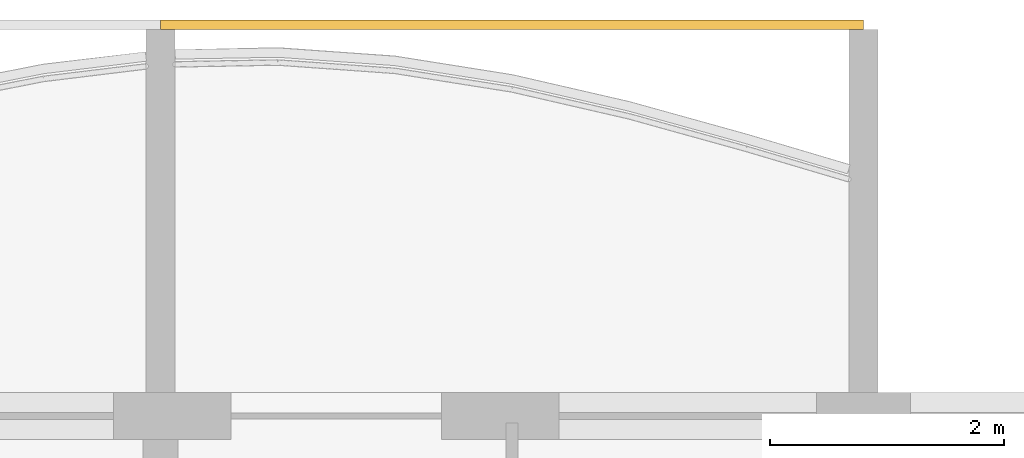
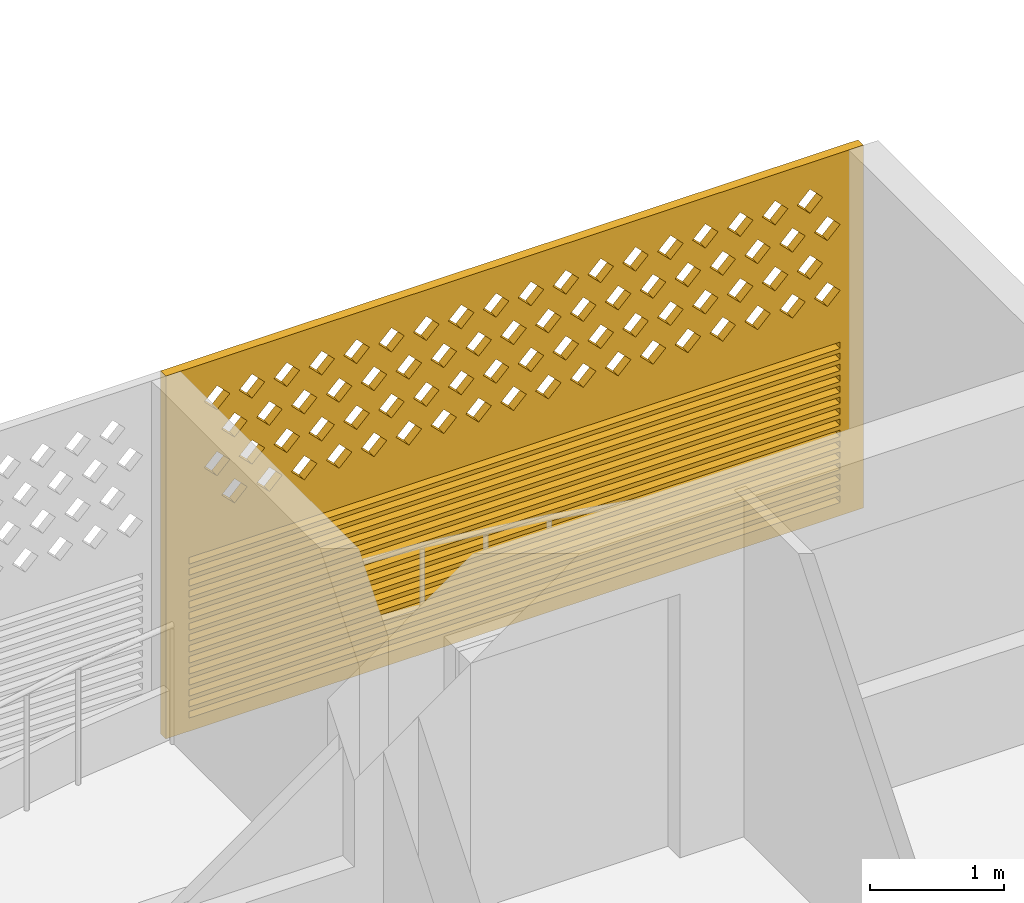
# One storey, part 26 of 32: 1 covering.
"""IFC4 building model written with IfcOpenShell, lengths in metres."""

from ifc_helpers import new_model, si_unit, direction, frame, origin, place, context, subcontext, project, spatial, polyline, outline, extrude, source, transform, mapped, material, material_profile, profile_set, type_object, element, save


model = new_model("IFC4")

# Units and contexts
model_context = context("Model", 3, precision=1e-05, world=origin(), true_north=direction((0.0, 1.0)))
body_context = subcontext(model_context, "Body", "Model", "MODEL_VIEW")
ifc_project = project(units=[si_unit("LENGTHUNIT", "METRE"), si_unit("AREAUNIT", "SQUARE_METRE"), si_unit("VOLUMEUNIT", "CUBIC_METRE"), si_unit("PLANEANGLEUNIT", "RADIAN"), si_unit("MASSUNIT", "GRAM", prefix="KILO")], contexts=[model_context])

# Site, building, storey
site_placement = place(None, origin())
site = spatial("IfcSite", under=ifc_project, at=site_placement, CompositionType="ELEMENT")
building_placement = place(site_placement, origin())
building = spatial("IfcBuilding", under=site, at=building_placement, Name="Poui Terraces", CompositionType="ELEMENT")
storey_placement = place(building_placement, frame((0.0, 0.0, 152.10009765625)))
storey = spatial("IfcBuildingStorey", under=building, at=storey_placement, Name="L42", CompositionType="ELEMENT", Elevation=152.10009765625)

# Covering
ifc_material = material(Name="Terracotta screen", Category="masonry")
ifc_material_profile = material_profile(ifc_material, outline(polyline([(-3.0, -1.64990234375), (3.0, -1.64990234375), (3.0, 1.64990234375), (-3.0, 1.64990234375), (-3.0, -1.64990234375)]), holes=[polyline([(-2.800048828125, 0.39990234375), (-2.68994140625, 0.2900390625), (-2.580078125, 0.39990234375), (-2.68994140625, 0.510009765625), (-2.800048828125, 0.39990234375)]), polyline([(-2.5, 0.39990234375), (-2.389892578125, 0.2900390625), (-2.280029296875, 0.39990234375), (-2.389892578125, 0.510009765625), (-2.5, 0.39990234375)]), polyline([(-2.199951171875, 0.39990234375), (-2.090087890625, 0.2900390625), (-1.97998046875, 0.39990234375), (-2.090087890625, 0.510009765625), (-2.199951171875, 0.39990234375)]), polyline([(-1.89990234375, 0.39990234375), (-1.7900390625, 0.2900390625), (-1.679931640625, 0.39990234375), (-1.7900390625, 0.510009765625), (-1.89990234375, 0.39990234375)]), polyline([(-1.60009765625, 0.39990234375), (-1.489990234375, 0.2900390625), (-1.3798828125, 0.39990234375), (-1.489990234375, 0.510009765625), (-1.60009765625, 0.39990234375)]), polyline([(-1.300048828125, 0.39990234375), (-1.18994140625, 0.2900390625), (-1.080078125, 0.39990234375), (-1.18994140625, 0.510009765625), (-1.300048828125, 0.39990234375)]), polyline([(-1.0, 0.39990234375), (-0.889892578125, 0.2900390625), (-0.780029296875, 0.39990234375), (-0.889892578125, 0.510009765625), (-1.0, 0.39990234375)]), polyline([(-0.699951171875, 0.39990234375), (-0.590087890625, 0.2900390625), (-0.47998046875, 0.39990234375), (-0.590087890625, 0.510009765625), (-0.699951171875, 0.39990234375)]), polyline([(-0.39990234375, 0.39990234375), (-0.2900390625, 0.2900390625), (-0.179931640625, 0.39990234375), (-0.2900390625, 0.510009765625), (-0.39990234375, 0.39990234375)]), polyline([(-0.10009765625, 0.39990234375), (0.010009765625, 0.2900390625), (0.1201171875, 0.39990234375), (0.010009765625, 0.510009765625), (-0.10009765625, 0.39990234375)]), polyline([(0.199951171875, 0.39990234375), (0.31005859375, 0.2900390625), (0.419921875, 0.39990234375), (0.31005859375, 0.510009765625), (0.199951171875, 0.39990234375)]), polyline([(0.5, 0.39990234375), (0.610107421875, 0.2900390625), (0.719970703125, 0.39990234375), (0.610107421875, 0.510009765625), (0.5, 0.39990234375)]), polyline([(0.800048828125, 0.39990234375), (0.909912109375, 0.2900390625), (1.02001953125, 0.39990234375), (0.909912109375, 0.510009765625), (0.800048828125, 0.39990234375)]), polyline([(1.10009765625, 0.39990234375), (1.2099609375, 0.2900390625), (1.320068359375, 0.39990234375), (1.2099609375, 0.510009765625), (1.10009765625, 0.39990234375)]), polyline([(1.39990234375, 0.39990234375), (1.510009765625, 0.2900390625), (1.6201171875, 0.39990234375), (1.510009765625, 0.510009765625), (1.39990234375, 0.39990234375)]), polyline([(1.699951171875, 0.39990234375), (1.81005859375, 0.2900390625), (1.919921875, 0.39990234375), (1.81005859375, 0.510009765625), (1.699951171875, 0.39990234375)]), polyline([(2.0, 0.39990234375), (2.110107421875, 0.2900390625), (2.219970703125, 0.39990234375), (2.110107421875, 0.510009765625), (2.0, 0.39990234375)]), polyline([(2.300048828125, 0.39990234375), (2.409912109375, 0.2900390625), (2.52001953125, 0.39990234375), (2.409912109375, 0.510009765625), (2.300048828125, 0.39990234375)]), polyline([(-2.64990234375, 0.699951171875), (-2.5400390625, 0.590087890625), (-2.429931640625, 0.699951171875), (-2.5400390625, 0.81005859375), (-2.64990234375, 0.699951171875)]), polyline([(-2.35009765625, 0.699951171875), (-2.239990234375, 0.590087890625), (-2.1298828125, 0.699951171875), (-2.239990234375, 0.81005859375), (-2.35009765625, 0.699951171875)]), polyline([(-2.050048828125, 0.699951171875), (-1.93994140625, 0.590087890625), (-1.830078125, 0.699951171875), (-1.93994140625, 0.81005859375), (-2.050048828125, 0.699951171875)]), polyline([(-1.75, 0.699951171875), (-1.639892578125, 0.590087890625), (-1.530029296875, 0.699951171875), (-1.639892578125, 0.81005859375), (-1.75, 0.699951171875)]), polyline([(-1.449951171875, 0.699951171875), (-1.340087890625, 0.590087890625), (-1.22998046875, 0.699951171875), (-1.340087890625, 0.81005859375), (-1.449951171875, 0.699951171875)]), polyline([(-1.14990234375, 0.699951171875), (-1.0400390625, 0.590087890625), (-0.929931640625, 0.699951171875), (-1.0400390625, 0.81005859375), (-1.14990234375, 0.699951171875)]), polyline([(-0.85009765625, 0.699951171875), (-0.739990234375, 0.590087890625), (-0.6298828125, 0.699951171875), (-0.739990234375, 0.81005859375), (-0.85009765625, 0.699951171875)]), polyline([(-0.550048828125, 0.699951171875), (-0.43994140625, 0.590087890625), (-0.330078125, 0.699951171875), (-0.43994140625, 0.81005859375), (-0.550048828125, 0.699951171875)]), polyline([(-0.25, 0.699951171875), (-0.139892578125, 0.590087890625), (-0.030029296875, 0.699951171875), (-0.139892578125, 0.81005859375), (-0.25, 0.699951171875)]), polyline([(0.050048828125, 0.699951171875), (0.159912109375, 0.590087890625), (0.27001953125, 0.699951171875), (0.159912109375, 0.81005859375), (0.050048828125, 0.699951171875)]), polyline([(0.35009765625, 0.699951171875), (0.4599609375, 0.590087890625), (0.570068359375, 0.699951171875), (0.4599609375, 0.81005859375), (0.35009765625, 0.699951171875)]), polyline([(0.64990234375, 0.699951171875), (0.760009765625, 0.590087890625), (0.8701171875, 0.699951171875), (0.760009765625, 0.81005859375), (0.64990234375, 0.699951171875)]), polyline([(0.949951171875, 0.699951171875), (1.06005859375, 0.590087890625), (1.169921875, 0.699951171875), (1.06005859375, 0.81005859375), (0.949951171875, 0.699951171875)]), polyline([(1.25, 0.699951171875), (1.360107421875, 0.590087890625), (1.469970703125, 0.699951171875), (1.360107421875, 0.81005859375), (1.25, 0.699951171875)]), polyline([(1.550048828125, 0.699951171875), (1.659912109375, 0.590087890625), (1.77001953125, 0.699951171875), (1.659912109375, 0.81005859375), (1.550048828125, 0.699951171875)]), polyline([(1.85009765625, 0.699951171875), (1.9599609375, 0.590087890625), (2.070068359375, 0.699951171875), (1.9599609375, 0.81005859375), (1.85009765625, 0.699951171875)]), polyline([(2.14990234375, 0.699951171875), (2.260009765625, 0.590087890625), (2.3701171875, 0.699951171875), (2.260009765625, 0.81005859375), (2.14990234375, 0.699951171875)]), polyline([(2.449951171875, 0.699951171875), (2.56005859375, 0.590087890625), (2.669921875, 0.699951171875), (2.56005859375, 0.81005859375), (2.449951171875, 0.699951171875)]), polyline([(-2.800048828125, 1.0), (-2.68994140625, 0.889892578125), (-2.580078125, 1.0), (-2.68994140625, 1.110107421875), (-2.800048828125, 1.0)]), polyline([(-2.5, 1.0), (-2.389892578125, 0.889892578125), (-2.280029296875, 1.0), (-2.389892578125, 1.110107421875), (-2.5, 1.0)]), polyline([(-2.199951171875, 1.0), (-2.090087890625, 0.889892578125), (-1.97998046875, 1.0), (-2.090087890625, 1.110107421875), (-2.199951171875, 1.0)]), polyline([(-1.89990234375, 1.0), (-1.7900390625, 0.889892578125), (-1.679931640625, 1.0), (-1.7900390625, 1.110107421875), (-1.89990234375, 1.0)]), polyline([(-1.60009765625, 1.0), (-1.489990234375, 0.889892578125), (-1.3798828125, 1.0), (-1.489990234375, 1.110107421875), (-1.60009765625, 1.0)]), polyline([(-1.300048828125, 1.0), (-1.18994140625, 0.889892578125), (-1.080078125, 1.0), (-1.18994140625, 1.110107421875), (-1.300048828125, 1.0)]), polyline([(-1.0, 1.0), (-0.889892578125, 0.889892578125), (-0.780029296875, 1.0), (-0.889892578125, 1.110107421875), (-1.0, 1.0)]), polyline([(-0.699951171875, 1.0), (-0.590087890625, 0.889892578125), (-0.47998046875, 1.0), (-0.590087890625, 1.110107421875), (-0.699951171875, 1.0)]), polyline([(-0.39990234375, 1.0), (-0.2900390625, 0.889892578125), (-0.179931640625, 1.0), (-0.2900390625, 1.110107421875), (-0.39990234375, 1.0)]), polyline([(-0.10009765625, 1.0), (0.010009765625, 0.889892578125), (0.1201171875, 1.0), (0.010009765625, 1.110107421875), (-0.10009765625, 1.0)]), polyline([(0.199951171875, 1.0), (0.31005859375, 0.889892578125), (0.419921875, 1.0), (0.31005859375, 1.110107421875), (0.199951171875, 1.0)]), polyline([(0.5, 1.0), (0.610107421875, 0.889892578125), (0.719970703125, 1.0), (0.610107421875, 1.110107421875), (0.5, 1.0)]), polyline([(0.800048828125, 1.0), (0.909912109375, 0.889892578125), (1.02001953125, 1.0), (0.909912109375, 1.110107421875), (0.800048828125, 1.0)]), polyline([(1.10009765625, 1.0), (1.2099609375, 0.889892578125), (1.320068359375, 1.0), (1.2099609375, 1.110107421875), (1.10009765625, 1.0)]), polyline([(1.39990234375, 1.0), (1.510009765625, 0.889892578125), (1.6201171875, 1.0), (1.510009765625, 1.110107421875), (1.39990234375, 1.0)]), polyline([(1.699951171875, 1.0), (1.81005859375, 0.889892578125), (1.919921875, 1.0), (1.81005859375, 1.110107421875), (1.699951171875, 1.0)]), polyline([(2.0, 1.0), (2.110107421875, 0.889892578125), (2.219970703125, 1.0), (2.110107421875, 1.110107421875), (2.0, 1.0)]), polyline([(2.300048828125, 1.0), (2.409912109375, 0.889892578125), (2.52001953125, 1.0), (2.409912109375, 1.110107421875), (2.300048828125, 1.0)]), polyline([(-2.64990234375, 1.300048828125), (-2.5400390625, 1.18994140625), (-2.429931640625, 1.300048828125), (-2.5400390625, 1.409912109375), (-2.64990234375, 1.300048828125)]), polyline([(-2.35009765625, 1.300048828125), (-2.239990234375, 1.18994140625), (-2.1298828125, 1.300048828125), (-2.239990234375, 1.409912109375), (-2.35009765625, 1.300048828125)]), polyline([(-2.050048828125, 1.300048828125), (-1.93994140625, 1.18994140625), (-1.830078125, 1.300048828125), (-1.93994140625, 1.409912109375), (-2.050048828125, 1.300048828125)]), polyline([(-1.75, 1.300048828125), (-1.639892578125, 1.18994140625), (-1.530029296875, 1.300048828125), (-1.639892578125, 1.409912109375), (-1.75, 1.300048828125)]), polyline([(-1.449951171875, 1.300048828125), (-1.340087890625, 1.18994140625), (-1.22998046875, 1.300048828125), (-1.340087890625, 1.409912109375), (-1.449951171875, 1.300048828125)]), polyline([(-1.14990234375, 1.300048828125), (-1.0400390625, 1.18994140625), (-0.929931640625, 1.300048828125), (-1.0400390625, 1.409912109375), (-1.14990234375, 1.300048828125)]), polyline([(-0.85009765625, 1.300048828125), (-0.739990234375, 1.18994140625), (-0.6298828125, 1.300048828125), (-0.739990234375, 1.409912109375), (-0.85009765625, 1.300048828125)]), polyline([(-0.550048828125, 1.300048828125), (-0.43994140625, 1.18994140625), (-0.330078125, 1.300048828125), (-0.43994140625, 1.409912109375), (-0.550048828125, 1.300048828125)]), polyline([(-0.25, 1.300048828125), (-0.139892578125, 1.18994140625), (-0.030029296875, 1.300048828125), (-0.139892578125, 1.409912109375), (-0.25, 1.300048828125)]), polyline([(0.050048828125, 1.300048828125), (0.159912109375, 1.18994140625), (0.27001953125, 1.300048828125), (0.159912109375, 1.409912109375), (0.050048828125, 1.300048828125)]), polyline([(0.35009765625, 1.300048828125), (0.4599609375, 1.18994140625), (0.570068359375, 1.300048828125), (0.4599609375, 1.409912109375), (0.35009765625, 1.300048828125)]), polyline([(0.64990234375, 1.300048828125), (0.760009765625, 1.18994140625), (0.8701171875, 1.300048828125), (0.760009765625, 1.409912109375), (0.64990234375, 1.300048828125)]), polyline([(0.949951171875, 1.300048828125), (1.06005859375, 1.18994140625), (1.169921875, 1.300048828125), (1.06005859375, 1.409912109375), (0.949951171875, 1.300048828125)]), polyline([(1.25, 1.300048828125), (1.360107421875, 1.18994140625), (1.469970703125, 1.300048828125), (1.360107421875, 1.409912109375), (1.25, 1.300048828125)]), polyline([(1.550048828125, 1.300048828125), (1.659912109375, 1.18994140625), (1.77001953125, 1.300048828125), (1.659912109375, 1.409912109375), (1.550048828125, 1.300048828125)]), polyline([(1.85009765625, 1.300048828125), (1.9599609375, 1.18994140625), (2.070068359375, 1.300048828125), (1.9599609375, 1.409912109375), (1.85009765625, 1.300048828125)]), polyline([(2.14990234375, 1.300048828125), (2.260009765625, 1.18994140625), (2.3701171875, 1.300048828125), (2.260009765625, 1.409912109375), (2.14990234375, 1.300048828125)]), polyline([(2.449951171875, 1.300048828125), (2.56005859375, 1.18994140625), (2.669921875, 1.300048828125), (2.56005859375, 1.409912109375), (2.449951171875, 1.300048828125)]), polyline([(-2.800048828125, -1.530029296875), (2.800048828125, -1.530029296875), (2.800048828125, -1.469970703125), (-2.800048828125, -1.469970703125), (-2.800048828125, -1.530029296875)]), polyline([(-2.800048828125, -1.429931640625), (2.800048828125, -1.429931640625), (2.800048828125, -1.3701171875), (-2.800048828125, -1.3701171875), (-2.800048828125, -1.429931640625)]), polyline([(-2.800048828125, -1.330078125), (2.800048828125, -1.330078125), (2.800048828125, -1.27001953125), (-2.800048828125, -1.27001953125), (-2.800048828125, -1.330078125)]), polyline([(-2.800048828125, -1.22998046875), (2.800048828125, -1.22998046875), (2.800048828125, -1.169921875), (-2.800048828125, -1.169921875), (-2.800048828125, -1.22998046875)]), polyline([(-2.800048828125, -1.1298828125), (2.800048828125, -1.1298828125), (2.800048828125, -1.070068359375), (-2.800048828125, -1.070068359375), (-2.800048828125, -1.1298828125)]), polyline([(-2.800048828125, -1.030029296875), (2.800048828125, -1.030029296875), (2.800048828125, -0.969970703125), (-2.800048828125, -0.969970703125), (-2.800048828125, -1.030029296875)]), polyline([(-2.800048828125, -0.929931640625), (2.800048828125, -0.929931640625), (2.800048828125, -0.8701171875), (-2.800048828125, -0.8701171875), (-2.800048828125, -0.929931640625)]), polyline([(-2.800048828125, -0.830078125), (2.800048828125, -0.830078125), (2.800048828125, -0.77001953125), (-2.800048828125, -0.77001953125), (-2.800048828125, -0.830078125)]), polyline([(-2.800048828125, -0.72998046875), (2.800048828125, -0.72998046875), (2.800048828125, -0.669921875), (-2.800048828125, -0.669921875), (-2.800048828125, -0.72998046875)]), polyline([(-2.800048828125, -0.6298828125), (2.800048828125, -0.6298828125), (2.800048828125, -0.570068359375), (-2.800048828125, -0.570068359375), (-2.800048828125, -0.6298828125)]), polyline([(-2.800048828125, -0.530029296875), (2.800048828125, -0.530029296875), (2.800048828125, -0.469970703125), (-2.800048828125, -0.469970703125), (-2.800048828125, -0.530029296875)]), polyline([(-2.800048828125, -0.429931640625), (2.800048828125, -0.429931640625), (2.800048828125, -0.3701171875), (-2.800048828125, -0.3701171875), (-2.800048828125, -0.429931640625)]), polyline([(-2.800048828125, -0.330078125), (2.800048828125, -0.330078125), (2.800048828125, -0.27001953125), (-2.800048828125, -0.27001953125), (-2.800048828125, -0.330078125)]), polyline([(-2.800048828125, -0.22998046875), (2.800048828125, -0.22998046875), (2.800048828125, -0.169921875), (-2.800048828125, -0.169921875), (-2.800048828125, -0.22998046875)]), polyline([(-2.800048828125, -0.1298828125), (2.800048828125, -0.1298828125), (2.800048828125, -0.070068359375), (-2.800048828125, -0.070068359375), (-2.800048828125, -0.1298828125)])]), Name="TERRACOTTA SCREEN AND JALOUSIE LOUVRE 6000X3300")
ifc_profile_set = profile_set([ifc_material_profile], Name="Terracotta screen")
covering_type = type_object("IfcCoveringType", Name="TERRACOTTA SCREEN AND JALOUSIE LOUVRE 6000X3300", PredefinedType="CLADDING", material=ifc_profile_set)
shared_shape = source(origin(), body_context, "Body", "SweptSolid", [
    extrude(outline(polyline([(-3.0, -1.64990234375), (3.0, -1.64990234375), (3.0, 1.64990234375), (-3.0, 1.64990234375), (-3.0, -1.64990234375)]), holes=[polyline([(-2.800048828125, 0.39990234375), (-2.68994140625, 0.2900390625), (-2.580078125, 0.39990234375), (-2.68994140625, 0.510009765625), (-2.800048828125, 0.39990234375)]), polyline([(-2.5, 0.39990234375), (-2.389892578125, 0.2900390625), (-2.280029296875, 0.39990234375), (-2.389892578125, 0.510009765625), (-2.5, 0.39990234375)]), polyline([(-2.199951171875, 0.39990234375), (-2.090087890625, 0.2900390625), (-1.97998046875, 0.39990234375), (-2.090087890625, 0.510009765625), (-2.199951171875, 0.39990234375)]), polyline([(-1.89990234375, 0.39990234375), (-1.7900390625, 0.2900390625), (-1.679931640625, 0.39990234375), (-1.7900390625, 0.510009765625), (-1.89990234375, 0.39990234375)]), polyline([(-1.60009765625, 0.39990234375), (-1.489990234375, 0.2900390625), (-1.3798828125, 0.39990234375), (-1.489990234375, 0.510009765625), (-1.60009765625, 0.39990234375)]), polyline([(-1.300048828125, 0.39990234375), (-1.18994140625, 0.2900390625), (-1.080078125, 0.39990234375), (-1.18994140625, 0.510009765625), (-1.300048828125, 0.39990234375)]), polyline([(-1.0, 0.39990234375), (-0.889892578125, 0.2900390625), (-0.780029296875, 0.39990234375), (-0.889892578125, 0.510009765625), (-1.0, 0.39990234375)]), polyline([(-0.699951171875, 0.39990234375), (-0.590087890625, 0.2900390625), (-0.47998046875, 0.39990234375), (-0.590087890625, 0.510009765625), (-0.699951171875, 0.39990234375)]), polyline([(-0.39990234375, 0.39990234375), (-0.2900390625, 0.2900390625), (-0.179931640625, 0.39990234375), (-0.2900390625, 0.510009765625), (-0.39990234375, 0.39990234375)]), polyline([(-0.10009765625, 0.39990234375), (0.010009765625, 0.2900390625), (0.1201171875, 0.39990234375), (0.010009765625, 0.510009765625), (-0.10009765625, 0.39990234375)]), polyline([(0.199951171875, 0.39990234375), (0.31005859375, 0.2900390625), (0.419921875, 0.39990234375), (0.31005859375, 0.510009765625), (0.199951171875, 0.39990234375)]), polyline([(0.5, 0.39990234375), (0.610107421875, 0.2900390625), (0.719970703125, 0.39990234375), (0.610107421875, 0.510009765625), (0.5, 0.39990234375)]), polyline([(0.800048828125, 0.39990234375), (0.909912109375, 0.2900390625), (1.02001953125, 0.39990234375), (0.909912109375, 0.510009765625), (0.800048828125, 0.39990234375)]), polyline([(1.10009765625, 0.39990234375), (1.2099609375, 0.2900390625), (1.320068359375, 0.39990234375), (1.2099609375, 0.510009765625), (1.10009765625, 0.39990234375)]), polyline([(1.39990234375, 0.39990234375), (1.510009765625, 0.2900390625), (1.6201171875, 0.39990234375), (1.510009765625, 0.510009765625), (1.39990234375, 0.39990234375)]), polyline([(1.699951171875, 0.39990234375), (1.81005859375, 0.2900390625), (1.919921875, 0.39990234375), (1.81005859375, 0.510009765625), (1.699951171875, 0.39990234375)]), polyline([(2.0, 0.39990234375), (2.110107421875, 0.2900390625), (2.219970703125, 0.39990234375), (2.110107421875, 0.510009765625), (2.0, 0.39990234375)]), polyline([(2.300048828125, 0.39990234375), (2.409912109375, 0.2900390625), (2.52001953125, 0.39990234375), (2.409912109375, 0.510009765625), (2.300048828125, 0.39990234375)]), polyline([(-2.64990234375, 0.699951171875), (-2.5400390625, 0.590087890625), (-2.429931640625, 0.699951171875), (-2.5400390625, 0.81005859375), (-2.64990234375, 0.699951171875)]), polyline([(-2.35009765625, 0.699951171875), (-2.239990234375, 0.590087890625), (-2.1298828125, 0.699951171875), (-2.239990234375, 0.81005859375), (-2.35009765625, 0.699951171875)]), polyline([(-2.050048828125, 0.699951171875), (-1.93994140625, 0.590087890625), (-1.830078125, 0.699951171875), (-1.93994140625, 0.81005859375), (-2.050048828125, 0.699951171875)]), polyline([(-1.75, 0.699951171875), (-1.639892578125, 0.590087890625), (-1.530029296875, 0.699951171875), (-1.639892578125, 0.81005859375), (-1.75, 0.699951171875)]), polyline([(-1.449951171875, 0.699951171875), (-1.340087890625, 0.590087890625), (-1.22998046875, 0.699951171875), (-1.340087890625, 0.81005859375), (-1.449951171875, 0.699951171875)]), polyline([(-1.14990234375, 0.699951171875), (-1.0400390625, 0.590087890625), (-0.929931640625, 0.699951171875), (-1.0400390625, 0.81005859375), (-1.14990234375, 0.699951171875)]), polyline([(-0.85009765625, 0.699951171875), (-0.739990234375, 0.590087890625), (-0.6298828125, 0.699951171875), (-0.739990234375, 0.81005859375), (-0.85009765625, 0.699951171875)]), polyline([(-0.550048828125, 0.699951171875), (-0.43994140625, 0.590087890625), (-0.330078125, 0.699951171875), (-0.43994140625, 0.81005859375), (-0.550048828125, 0.699951171875)]), polyline([(-0.25, 0.699951171875), (-0.139892578125, 0.590087890625), (-0.030029296875, 0.699951171875), (-0.139892578125, 0.81005859375), (-0.25, 0.699951171875)]), polyline([(0.050048828125, 0.699951171875), (0.159912109375, 0.590087890625), (0.27001953125, 0.699951171875), (0.159912109375, 0.81005859375), (0.050048828125, 0.699951171875)]), polyline([(0.35009765625, 0.699951171875), (0.4599609375, 0.590087890625), (0.570068359375, 0.699951171875), (0.4599609375, 0.81005859375), (0.35009765625, 0.699951171875)]), polyline([(0.64990234375, 0.699951171875), (0.760009765625, 0.590087890625), (0.8701171875, 0.699951171875), (0.760009765625, 0.81005859375), (0.64990234375, 0.699951171875)]), polyline([(0.949951171875, 0.699951171875), (1.06005859375, 0.590087890625), (1.169921875, 0.699951171875), (1.06005859375, 0.81005859375), (0.949951171875, 0.699951171875)]), polyline([(1.25, 0.699951171875), (1.360107421875, 0.590087890625), (1.469970703125, 0.699951171875), (1.360107421875, 0.81005859375), (1.25, 0.699951171875)]), polyline([(1.550048828125, 0.699951171875), (1.659912109375, 0.590087890625), (1.77001953125, 0.699951171875), (1.659912109375, 0.81005859375), (1.550048828125, 0.699951171875)]), polyline([(1.85009765625, 0.699951171875), (1.9599609375, 0.590087890625), (2.070068359375, 0.699951171875), (1.9599609375, 0.81005859375), (1.85009765625, 0.699951171875)]), polyline([(2.14990234375, 0.699951171875), (2.260009765625, 0.590087890625), (2.3701171875, 0.699951171875), (2.260009765625, 0.81005859375), (2.14990234375, 0.699951171875)]), polyline([(2.449951171875, 0.699951171875), (2.56005859375, 0.590087890625), (2.669921875, 0.699951171875), (2.56005859375, 0.81005859375), (2.449951171875, 0.699951171875)]), polyline([(-2.800048828125, 1.0), (-2.68994140625, 0.889892578125), (-2.580078125, 1.0), (-2.68994140625, 1.110107421875), (-2.800048828125, 1.0)]), polyline([(-2.5, 1.0), (-2.389892578125, 0.889892578125), (-2.280029296875, 1.0), (-2.389892578125, 1.110107421875), (-2.5, 1.0)]), polyline([(-2.199951171875, 1.0), (-2.090087890625, 0.889892578125), (-1.97998046875, 1.0), (-2.090087890625, 1.110107421875), (-2.199951171875, 1.0)]), polyline([(-1.89990234375, 1.0), (-1.7900390625, 0.889892578125), (-1.679931640625, 1.0), (-1.7900390625, 1.110107421875), (-1.89990234375, 1.0)]), polyline([(-1.60009765625, 1.0), (-1.489990234375, 0.889892578125), (-1.3798828125, 1.0), (-1.489990234375, 1.110107421875), (-1.60009765625, 1.0)]), polyline([(-1.300048828125, 1.0), (-1.18994140625, 0.889892578125), (-1.080078125, 1.0), (-1.18994140625, 1.110107421875), (-1.300048828125, 1.0)]), polyline([(-1.0, 1.0), (-0.889892578125, 0.889892578125), (-0.780029296875, 1.0), (-0.889892578125, 1.110107421875), (-1.0, 1.0)]), polyline([(-0.699951171875, 1.0), (-0.590087890625, 0.889892578125), (-0.47998046875, 1.0), (-0.590087890625, 1.110107421875), (-0.699951171875, 1.0)]), polyline([(-0.39990234375, 1.0), (-0.2900390625, 0.889892578125), (-0.179931640625, 1.0), (-0.2900390625, 1.110107421875), (-0.39990234375, 1.0)]), polyline([(-0.10009765625, 1.0), (0.010009765625, 0.889892578125), (0.1201171875, 1.0), (0.010009765625, 1.110107421875), (-0.10009765625, 1.0)]), polyline([(0.199951171875, 1.0), (0.31005859375, 0.889892578125), (0.419921875, 1.0), (0.31005859375, 1.110107421875), (0.199951171875, 1.0)]), polyline([(0.5, 1.0), (0.610107421875, 0.889892578125), (0.719970703125, 1.0), (0.610107421875, 1.110107421875), (0.5, 1.0)]), polyline([(0.800048828125, 1.0), (0.909912109375, 0.889892578125), (1.02001953125, 1.0), (0.909912109375, 1.110107421875), (0.800048828125, 1.0)]), polyline([(1.10009765625, 1.0), (1.2099609375, 0.889892578125), (1.320068359375, 1.0), (1.2099609375, 1.110107421875), (1.10009765625, 1.0)]), polyline([(1.39990234375, 1.0), (1.510009765625, 0.889892578125), (1.6201171875, 1.0), (1.510009765625, 1.110107421875), (1.39990234375, 1.0)]), polyline([(1.699951171875, 1.0), (1.81005859375, 0.889892578125), (1.919921875, 1.0), (1.81005859375, 1.110107421875), (1.699951171875, 1.0)]), polyline([(2.0, 1.0), (2.110107421875, 0.889892578125), (2.219970703125, 1.0), (2.110107421875, 1.110107421875), (2.0, 1.0)]), polyline([(2.300048828125, 1.0), (2.409912109375, 0.889892578125), (2.52001953125, 1.0), (2.409912109375, 1.110107421875), (2.300048828125, 1.0)]), polyline([(-2.64990234375, 1.300048828125), (-2.5400390625, 1.18994140625), (-2.429931640625, 1.300048828125), (-2.5400390625, 1.409912109375), (-2.64990234375, 1.300048828125)]), polyline([(-2.35009765625, 1.300048828125), (-2.239990234375, 1.18994140625), (-2.1298828125, 1.300048828125), (-2.239990234375, 1.409912109375), (-2.35009765625, 1.300048828125)]), polyline([(-2.050048828125, 1.300048828125), (-1.93994140625, 1.18994140625), (-1.830078125, 1.300048828125), (-1.93994140625, 1.409912109375), (-2.050048828125, 1.300048828125)]), polyline([(-1.75, 1.300048828125), (-1.639892578125, 1.18994140625), (-1.530029296875, 1.300048828125), (-1.639892578125, 1.409912109375), (-1.75, 1.300048828125)]), polyline([(-1.449951171875, 1.300048828125), (-1.340087890625, 1.18994140625), (-1.22998046875, 1.300048828125), (-1.340087890625, 1.409912109375), (-1.449951171875, 1.300048828125)]), polyline([(-1.14990234375, 1.300048828125), (-1.0400390625, 1.18994140625), (-0.929931640625, 1.300048828125), (-1.0400390625, 1.409912109375), (-1.14990234375, 1.300048828125)]), polyline([(-0.85009765625, 1.300048828125), (-0.739990234375, 1.18994140625), (-0.6298828125, 1.300048828125), (-0.739990234375, 1.409912109375), (-0.85009765625, 1.300048828125)]), polyline([(-0.550048828125, 1.300048828125), (-0.43994140625, 1.18994140625), (-0.330078125, 1.300048828125), (-0.43994140625, 1.409912109375), (-0.550048828125, 1.300048828125)]), polyline([(-0.25, 1.300048828125), (-0.139892578125, 1.18994140625), (-0.030029296875, 1.300048828125), (-0.139892578125, 1.409912109375), (-0.25, 1.300048828125)]), polyline([(0.050048828125, 1.300048828125), (0.159912109375, 1.18994140625), (0.27001953125, 1.300048828125), (0.159912109375, 1.409912109375), (0.050048828125, 1.300048828125)]), polyline([(0.35009765625, 1.300048828125), (0.4599609375, 1.18994140625), (0.570068359375, 1.300048828125), (0.4599609375, 1.409912109375), (0.35009765625, 1.300048828125)]), polyline([(0.64990234375, 1.300048828125), (0.760009765625, 1.18994140625), (0.8701171875, 1.300048828125), (0.760009765625, 1.409912109375), (0.64990234375, 1.300048828125)]), polyline([(0.949951171875, 1.300048828125), (1.06005859375, 1.18994140625), (1.169921875, 1.300048828125), (1.06005859375, 1.409912109375), (0.949951171875, 1.300048828125)]), polyline([(1.25, 1.300048828125), (1.360107421875, 1.18994140625), (1.469970703125, 1.300048828125), (1.360107421875, 1.409912109375), (1.25, 1.300048828125)]), polyline([(1.550048828125, 1.300048828125), (1.659912109375, 1.18994140625), (1.77001953125, 1.300048828125), (1.659912109375, 1.409912109375), (1.550048828125, 1.300048828125)]), polyline([(1.85009765625, 1.300048828125), (1.9599609375, 1.18994140625), (2.070068359375, 1.300048828125), (1.9599609375, 1.409912109375), (1.85009765625, 1.300048828125)]), polyline([(2.14990234375, 1.300048828125), (2.260009765625, 1.18994140625), (2.3701171875, 1.300048828125), (2.260009765625, 1.409912109375), (2.14990234375, 1.300048828125)]), polyline([(2.449951171875, 1.300048828125), (2.56005859375, 1.18994140625), (2.669921875, 1.300048828125), (2.56005859375, 1.409912109375), (2.449951171875, 1.300048828125)]), polyline([(-2.800048828125, -1.530029296875), (2.800048828125, -1.530029296875), (2.800048828125, -1.469970703125), (-2.800048828125, -1.469970703125), (-2.800048828125, -1.530029296875)]), polyline([(-2.800048828125, -1.429931640625), (2.800048828125, -1.429931640625), (2.800048828125, -1.3701171875), (-2.800048828125, -1.3701171875), (-2.800048828125, -1.429931640625)]), polyline([(-2.800048828125, -1.330078125), (2.800048828125, -1.330078125), (2.800048828125, -1.27001953125), (-2.800048828125, -1.27001953125), (-2.800048828125, -1.330078125)]), polyline([(-2.800048828125, -1.22998046875), (2.800048828125, -1.22998046875), (2.800048828125, -1.169921875), (-2.800048828125, -1.169921875), (-2.800048828125, -1.22998046875)]), polyline([(-2.800048828125, -1.1298828125), (2.800048828125, -1.1298828125), (2.800048828125, -1.070068359375), (-2.800048828125, -1.070068359375), (-2.800048828125, -1.1298828125)]), polyline([(-2.800048828125, -1.030029296875), (2.800048828125, -1.030029296875), (2.800048828125, -0.969970703125), (-2.800048828125, -0.969970703125), (-2.800048828125, -1.030029296875)]), polyline([(-2.800048828125, -0.929931640625), (2.800048828125, -0.929931640625), (2.800048828125, -0.8701171875), (-2.800048828125, -0.8701171875), (-2.800048828125, -0.929931640625)]), polyline([(-2.800048828125, -0.830078125), (2.800048828125, -0.830078125), (2.800048828125, -0.77001953125), (-2.800048828125, -0.77001953125), (-2.800048828125, -0.830078125)]), polyline([(-2.800048828125, -0.72998046875), (2.800048828125, -0.72998046875), (2.800048828125, -0.669921875), (-2.800048828125, -0.669921875), (-2.800048828125, -0.72998046875)]), polyline([(-2.800048828125, -0.6298828125), (2.800048828125, -0.6298828125), (2.800048828125, -0.570068359375), (-2.800048828125, -0.570068359375), (-2.800048828125, -0.6298828125)]), polyline([(-2.800048828125, -0.530029296875), (2.800048828125, -0.530029296875), (2.800048828125, -0.469970703125), (-2.800048828125, -0.469970703125), (-2.800048828125, -0.530029296875)]), polyline([(-2.800048828125, -0.429931640625), (2.800048828125, -0.429931640625), (2.800048828125, -0.3701171875), (-2.800048828125, -0.3701171875), (-2.800048828125, -0.429931640625)]), polyline([(-2.800048828125, -0.330078125), (2.800048828125, -0.330078125), (2.800048828125, -0.27001953125), (-2.800048828125, -0.27001953125), (-2.800048828125, -0.330078125)]), polyline([(-2.800048828125, -0.22998046875), (2.800048828125, -0.22998046875), (2.800048828125, -0.169921875), (-2.800048828125, -0.169921875), (-2.800048828125, -0.22998046875)]), polyline([(-2.800048828125, -0.1298828125), (2.800048828125, -0.1298828125), (2.800048828125, -0.070068359375), (-2.800048828125, -0.070068359375), (-2.800048828125, -0.1298828125)])]), origin(), (0.0, 0.0, 1.0), 0.080078125),
])
covering_placement = place(storey_placement, frame((51.0, 45.699951171875, 1.449951171875), z_axis=(0.0, 1.0, 0.0), x_axis=(-1.0, 0.0, 0.0)))
element("IfcCovering", 1, at=covering_placement, inside=storey, type_object=covering_type, Name="SOLAR SCREEN AND JALOUSIE LOUVRE", PredefinedType="CLADDING", context=body_context, shape_type="MappedRepresentation", body=[
    mapped(shared_shape, transform((0.0, 0.0, 0.0))),
])

save(model, "model.ifc")
